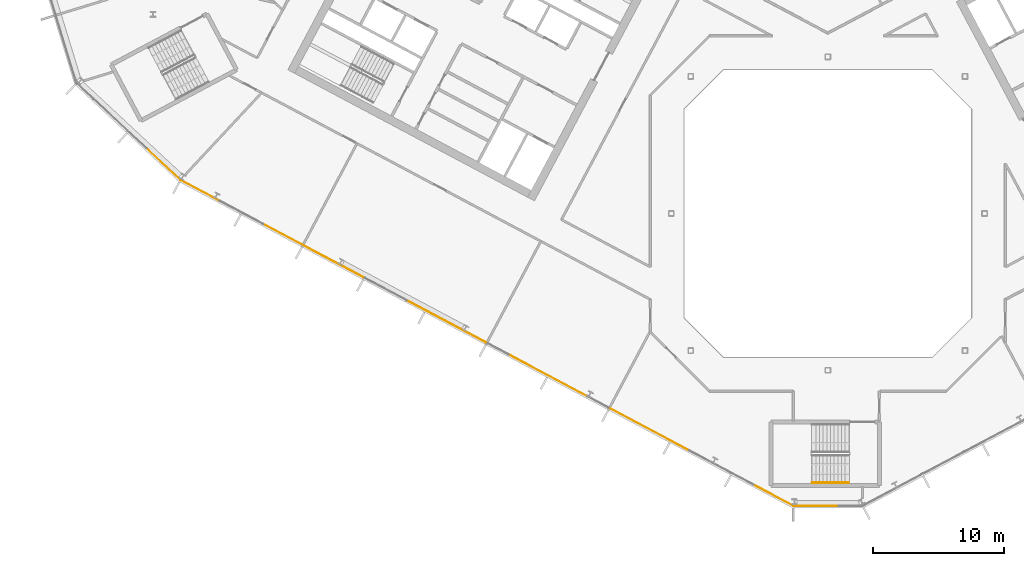
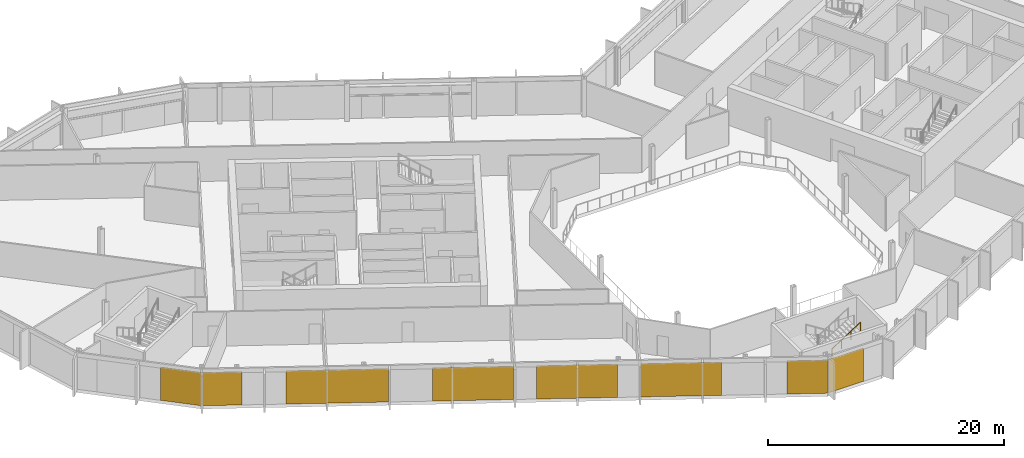
# One storey, part 18 of 26: 8 coverings, 1 railing, 3 elements without a shape of their own.
"""IFC4 building model written with IfcOpenShell, lengths in metres."""

from ifc_helpers import new_model, si_unit, direction, frame, origin, origin_2d, place, context, subcontext, project, spatial, polyline, rectangle, outline, extrude, material, layer, layer_set, type_object, element, aggregate, save


model = new_model("IFC4")

# Units and contexts
model_context = context("Model", 3, precision=1e-05, world=origin(), true_north=direction((0.0, 1.0)))
body_context = subcontext(model_context, "Body", "Model", "MODEL_VIEW")
ifc_project = project(units=[si_unit("LENGTHUNIT", "METRE"), si_unit("AREAUNIT", "SQUARE_METRE"), si_unit("VOLUMEUNIT", "CUBIC_METRE"), si_unit("PLANEANGLEUNIT", "RADIAN"), si_unit("MASSUNIT", "GRAM", prefix="KILO")], contexts=[model_context])

# Site, building, storey
site_placement = place(None, origin())
site = spatial("IfcSite", under=ifc_project, at=site_placement, CompositionType="ELEMENT")
building_placement = place(site_placement, origin())
building = spatial("IfcBuilding", under=site, at=building_placement, Name="Cormorant Relay Tower", CompositionType="ELEMENT")
storey_placement = place(building_placement, frame((0.0, 0.0, 228.60009765625)))
storey = spatial("IfcBuildingStorey", under=building, at=storey_placement, Name="L50", CompositionType="ELEMENT", Elevation=228.60009765625)

# Curtain wall, covering
ifc_material_1 = material(Name="Aluminium 6063-T6 anodised bronze", Category="aluminium")
ifc_layer_1 = layer(ifc_material_1, 0.199951171875)
ifc_layer_set_1 = layer_set([ifc_layer_1], Name="CW1 unitised bronze curtain wall with vertical fins")
curtain_wall_type = type_object("IfcCurtainWallType", Name="CW1 unitised bronze curtain wall with vertical fins", PredefinedType="NOTDEFINED", material=ifc_layer_set_1)
curtain_wall_1_placement = place(storey_placement, origin())
curtain_wall_1 = element("IfcCurtainWall", 1, at=curtain_wall_1_placement, inside=storey, type_object=curtain_wall_type, Name="CW1 curtain wall 1", PredefinedType="NOTDEFINED")
ifc_material_2 = material(Name="Pale bronze anodised aluminium insulated panel", Category="aluminium")
ifc_layer_2 = layer(ifc_material_2, 0.0400390625)
ifc_layer_set_2 = layer_set([ifc_layer_2], Name="CW1 pale bronze insulated panel 40")
covering_type = type_object("IfcCoveringType", Name="CW1 pale bronze insulated panel 40", PredefinedType="CLADDING", material=ifc_layer_set_2)
covering_1_placement = place(storey_placement, frame((-0.862548828125, -22.3955078125, 0.0), z_axis=(0.0, 0.0, 1.0), x_axis=(1.0, 0.0, 0.0)))
covering_1 = element("IfcCovering", 2, at=covering_1_placement, type_object=covering_type, Name="CW1 panel S00", PredefinedType="CLADDING", context=body_context, shape_type="SweptSolid", body=[
    extrude(rectangle(XDim=3.422607421875, YDim=0.0400390625, at=origin_2d()), origin(), (0.0, 0.0, 1.0), 3.449951171875),
])
aggregate(curtain_wall_1, [covering_1])

curtain_wall_2_placement = place(storey_placement, origin())
curtain_wall_2 = element("IfcCurtainWall", 3, at=curtain_wall_2_placement, inside=storey, type_object=curtain_wall_type, Name="CW1 curtain wall 15", PredefinedType="NOTDEFINED")
covering_2_placement = place(storey_placement, frame((-50.906982421875, 3.78369140625, 0.0), z_axis=(0.0, 0.0, 1.0), x_axis=(0.731353701619, -0.681998360062, 0.0)))
covering_2 = element("IfcCovering", 4, at=covering_2_placement, type_object=covering_type, Name="CW1 panel S03", PredefinedType="CLADDING", context=body_context, shape_type="SweptSolid", body=[
    extrude(rectangle(XDim=3.560302734375, YDim=0.0400390625, at=origin_2d()), origin(), (0.0, 0.0, 1.0), 3.449951171875),
])
aggregate(curtain_wall_2, [covering_2])

# Curtain wall, coverings
curtain_wall_3_placement = place(storey_placement, origin())
curtain_wall_3 = element("IfcCurtainWall", 5, at=curtain_wall_3_placement, inside=storey, type_object=curtain_wall_type, Name="CW1 curtain wall 16", PredefinedType="NOTDEFINED")
covering_3_placement = place(storey_placement, frame((-48.048583984375, 1.7412109375, 0.0), z_axis=(0.0, 0.0, 1.0), x_axis=(0.882947592859, -0.469471562786, 0.0)))
covering_3 = element("IfcCovering", 6, at=covering_3_placement, type_object=covering_type, Name="CW1 panel S00", PredefinedType="CLADDING", context=body_context, shape_type="SweptSolid", body=[
    extrude(rectangle(XDim=3.36669921875, YDim=0.0400390625, at=origin_2d()), origin(), (0.0, 0.0, 1.0), 3.449951171875),
])
covering_4_placement = place(storey_placement, frame((-39.417724609375, -2.847900390625, 0.0), z_axis=(0.0, 0.0, 1.0), x_axis=(0.882947592859, -0.469471562786, 0.0)))
covering_4 = element("IfcCovering", 7, at=covering_4_placement, type_object=covering_type, Name="CW1 panel S03", PredefinedType="CLADDING", context=body_context, shape_type="SweptSolid", body=[
    extrude(rectangle(XDim=8.68310546875, YDim=0.0400390625, at=origin_2d()), origin(), (0.0, 0.0, 1.0), 3.449951171875),
])
covering_5_placement = place(storey_placement, frame((-29.234619140625, -8.26220703125, 0.0), z_axis=(0.0, 0.0, 1.0), x_axis=(0.882947592859, -0.469471562786, 0.0)))
covering_5 = element("IfcCovering", 8, at=covering_5_placement, type_object=covering_type, Name="CW1 panel S05", PredefinedType="CLADDING", context=body_context, shape_type="SweptSolid", body=[
    extrude(rectangle(XDim=6.88330078125, YDim=0.0400390625, at=origin_2d()), origin(), (0.0, 0.0, 1.0), 3.449951171875),
])
covering_6_placement = place(storey_placement, frame((-21.435302734375, -12.4091796875, 0.0), z_axis=(0.0, 0.0, 1.0), x_axis=(0.882947592859, -0.469471562786, 0.0)))
covering_6 = element("IfcCovering", 9, at=covering_6_placement, type_object=covering_type, Name="CW1 panel S07", PredefinedType="CLADDING", context=body_context, shape_type="SweptSolid", body=[
    extrude(rectangle(XDim=6.88330078125, YDim=0.0400390625, at=origin_2d()), origin(), (0.0, 0.0, 1.0), 3.449951171875),
])
covering_7_placement = place(storey_placement, frame((-13.635986328125, -16.55615234375, 0.0), z_axis=(0.0, 0.0, 1.0), x_axis=(0.882947592859, -0.469471562786, 0.0)))
covering_7 = element("IfcCovering", 10, at=covering_7_placement, type_object=covering_type, Name="CW1 panel S09", PredefinedType="CLADDING", context=body_context, shape_type="SweptSolid", body=[
    extrude(rectangle(XDim=6.88330078125, YDim=0.0400390625, at=origin_2d()), origin(), (0.0, 0.0, 1.0), 3.449951171875),
])
covering_8_placement = place(storey_placement, frame((-4.177490234375, -21.58544921875, 0.0), z_axis=(0.0, 0.0, 1.0), x_axis=(0.882947592859, -0.469471562786, 0.0)))
covering_8 = element("IfcCovering", 11, at=covering_8_placement, type_object=covering_type, Name="CW1 panel S12", PredefinedType="CLADDING", context=body_context, shape_type="SweptSolid", body=[
    extrude(rectangle(XDim=3.441650390625, YDim=0.0400390625, at=origin_2d()), origin(), (0.0, 0.0, 1.0), 3.449951171875),
])
aggregate(curtain_wall_3, [covering_3, covering_4, covering_5, covering_6, covering_7, covering_8])

# Railing
ifc_material_3 = material(Name="Steel ASTM A572 Grade 50 (Fy 345 MPa)", Category="steel")
railing_type = type_object("IfcRailingType", Name="Stair handrail 900", PredefinedType="HANDRAIL", material=ifc_material_3)
railing_placement = place(storey_placement, frame((-1.199951171875, -20.625, 2.127197265625)))
element("IfcRailing", 12, at=railing_placement, inside=storey, type_object=railing_type, Name="L50 RK1 stair handrail 2", PredefinedType="HANDRAIL", context=body_context, shape_type="SweptSolid", body=[
    extrude(outline(polyline([(0.022216796875, 0.00927734375), (0.00927734375, 0.022216796875), (-0.00927734375, 0.022216796875), (-0.022216796875, 0.00927734375), (-0.022216796875, -0.00927734375), (-0.00927734375, -0.022216796875), (0.00927734375, -0.022216796875), (0.022216796875, -0.00927734375), (0.022216796875, 0.00927734375)])), frame((0.0, 0.0, 0.8759765625), z_axis=(0.844908973607, 0.0, 0.534910110503), x_axis=(0.0, 1.0, 0.0)), (0.0, 0.0, 1.0), 3.31396484375),
    extrude(outline(polyline([(0.019287109375, 0.008056640625), (0.008056640625, 0.019287109375), (-0.008056640625, 0.019287109375), (-0.019287109375, 0.008056640625), (-0.019287109375, -0.008056640625), (-0.008056640625, -0.019287109375), (0.008056640625, -0.019287109375), (0.019287109375, -0.008056640625), (0.019287109375, 0.008056640625)])), origin(), (0.0, 0.0, 1.0), 0.851806640625),
    extrude(outline(polyline([(0.019287109375, 0.008056640625), (0.008056640625, 0.019287109375), (-0.008056640625, 0.019287109375), (-0.019287109375, 0.008056640625), (-0.019287109375, -0.008056640625), (-0.008056640625, -0.019287109375), (0.008056640625, -0.019287109375), (0.019287109375, -0.008056640625), (0.019287109375, 0.008056640625)])), frame((0.933349609375, 0.0, 0.5908203125)), (0.0, 0.0, 1.0), 0.851806640625),
    extrude(outline(polyline([(0.019287109375, 0.008056640625), (0.008056640625, 0.019287109375), (-0.008056640625, 0.019287109375), (-0.019287109375, 0.008056640625), (-0.019287109375, -0.008056640625), (-0.008056640625, -0.019287109375), (0.008056640625, -0.019287109375), (0.019287109375, -0.008056640625), (0.019287109375, 0.008056640625)])), frame((1.86669921875, 0.0, 1.181884765625)), (0.0, 0.0, 1.0), 0.851806640625),
    extrude(outline(polyline([(0.019287109375, 0.008056640625), (0.008056640625, 0.019287109375), (-0.008056640625, 0.019287109375), (-0.019287109375, 0.008056640625), (-0.019287109375, -0.008056640625), (-0.008056640625, -0.019287109375), (0.008056640625, -0.019287109375), (0.019287109375, -0.008056640625), (0.019287109375, 0.008056640625)])), frame((2.800048828125, 0.0, 1.772705078125)), (0.0, 0.0, 1.0), 0.851806640625),
])

save(model, "model.ifc")
